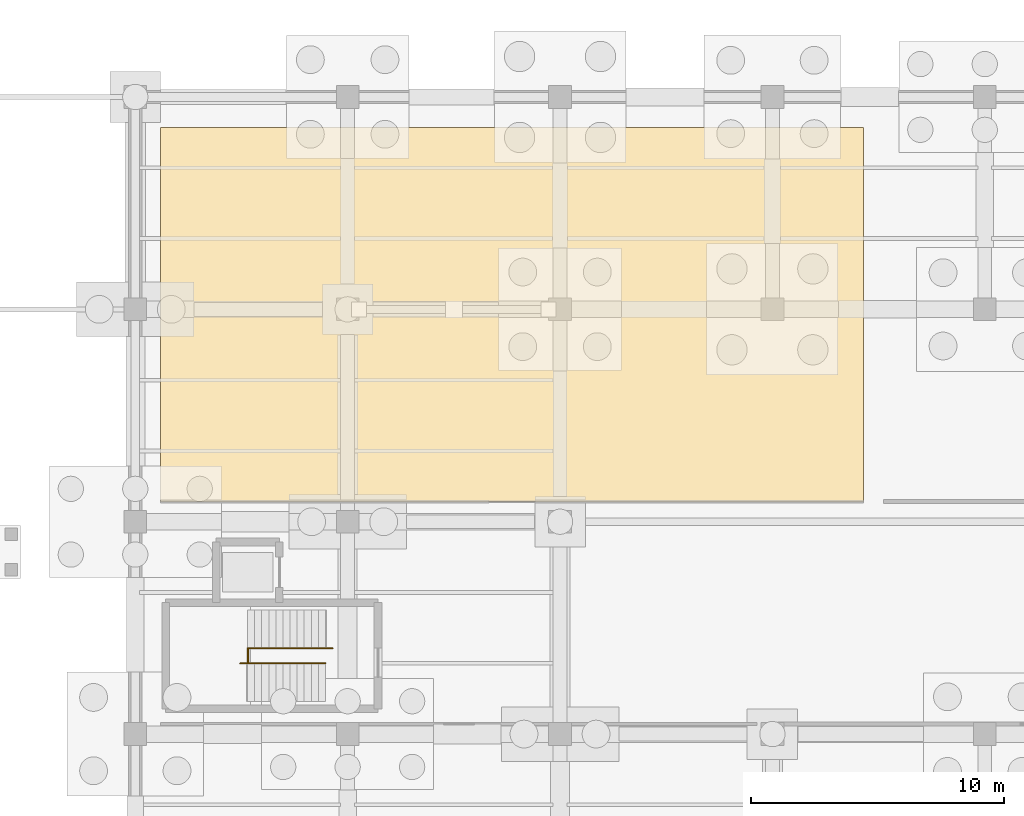
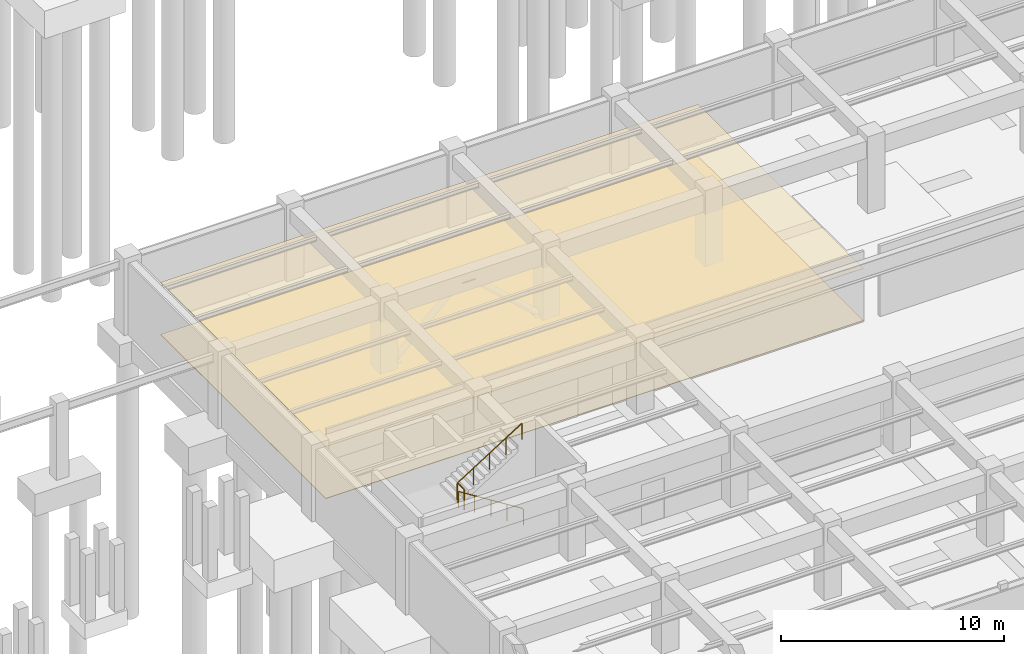
# One storey, part 34 of 38: 3 railings, 2 coverings.
"""IFC4 building model written with IfcOpenShell, lengths in metres."""

from ifc_helpers import new_model, si_unit, direction, frame, origin, origin_2d, place, context, subcontext, project, spatial, polyline, circle, outline, extrude, material, layer, layer_set, type_object, element, save


model = new_model("IFC4")

# Units and contexts
model_context = context("Model", 3, precision=1e-05, world=origin(), true_north=direction((0.0, 1.0)))
body_context = subcontext(model_context, "Body", "Model", "MODEL_VIEW")
ifc_project = project(units=[si_unit("LENGTHUNIT", "METRE"), si_unit("AREAUNIT", "SQUARE_METRE"), si_unit("VOLUMEUNIT", "CUBIC_METRE"), si_unit("PLANEANGLEUNIT", "RADIAN"), si_unit("MASSUNIT", "GRAM", prefix="KILO"), si_unit("THERMODYNAMICTEMPERATUREUNIT", "KELVIN"), si_unit("POWERUNIT", "WATT")], contexts=[model_context])

# Site, building, storey
site_placement = place(None, origin())
site = spatial("IfcSite", under=ifc_project, at=site_placement, CompositionType="ELEMENT")
building_placement = place(site_placement, origin())
building = spatial("IfcBuilding", under=site, at=building_placement, Name="Darbajah Civic Hall", CompositionType="ELEMENT")
storey_placement = place(building_placement, frame((0.0, 0.0, -4.199951171875)))
storey = spatial("IfcBuildingStorey", under=building, at=storey_placement, Name="B01", CompositionType="ELEMENT", Elevation=-4.199951171875)

# Railings
ifc_material_1 = material(Name="Brushed Bronze Stainless Steel", Category="steel")
railing_type_1 = type_object("IfcRailingType", Name="Brushed Bronze Handrail", PredefinedType="HANDRAIL", material=ifc_material_1)
railing_1_placement = place(storey_placement, frame((118.52001953125, 19.60009765625, 0.175048828125)))
element("IfcRailing", 1, at=railing_1_placement, inside=storey, type_object=railing_type_1, Name="ST06 B01 lower flight handrail", PredefinedType="HANDRAIL", context=body_context, shape_type="SweptSolid", body=[
    extrude(circle(Radius=0.02392578125, at=origin_2d()), frame((-0.023193359375, 0.0, 0.910400390625), z_axis=(-0.845972016735, 0.0, 0.533227293844), x_axis=(0.0, -1.0, 0.0)), (0.0, 0.0, 1.0), 3.917236328125),
    extrude(circle(Radius=0.02099609375, at=origin_2d()), origin(), (0.0, 0.0, 1.0), 0.867919921875),
    extrude(circle(Radius=0.02099609375, at=origin_2d()), frame((-0.840087890625, 0.0, 0.529541015625)), (0.0, 0.0, 1.0), 0.867919921875),
    extrude(circle(Radius=0.02099609375, at=origin_2d()), frame((-1.68017578125, 0.0, 1.05908203125)), (0.0, 0.0, 1.0), 0.867919921875),
    extrude(circle(Radius=0.02099609375, at=origin_2d()), frame((-2.52001953125, 0.0, 1.58837890625)), (0.0, 0.0, 1.0), 0.867919921875),
    extrude(circle(Radius=0.02099609375, at=origin_2d()), frame((-3.360107421875, 0.0, 2.117919921875)), (0.0, 0.0, 1.0), 0.867919921875),
])
railing_2_placement = place(storey_placement, frame((115.43994140625, 20.199951171875, 2.27490234375)))
element("IfcRailing", 2, at=railing_2_placement, inside=storey, type_object=railing_type_1, Name="ST06 B01 upper flight handrail", PredefinedType="HANDRAIL", context=body_context, shape_type="SweptSolid", body=[
    extrude(circle(Radius=0.02392578125, at=origin_2d()), frame((0.023193359375, 0.0, 0.910400390625), z_axis=(0.845944288966, 0.0, 0.533271281775), x_axis=(0.0, 1.0, 0.0)), (0.0, 0.0, 1.0), 3.91748046875),
    extrude(circle(Radius=0.02099609375, at=origin_2d()), origin(), (0.0, 0.0, 1.0), 0.867919921875),
    extrude(circle(Radius=0.02099609375, at=origin_2d()), frame((0.840087890625, 0.0, 0.529541015625)), (0.0, 0.0, 1.0), 0.867919921875),
    extrude(circle(Radius=0.02099609375, at=origin_2d()), frame((1.68017578125, 0.0, 1.05908203125)), (0.0, 0.0, 1.0), 0.867919921875),
    extrude(circle(Radius=0.02099609375, at=origin_2d()), frame((2.52001953125, 0.0, 1.588623046875)), (0.0, 0.0, 1.0), 0.867919921875),
    extrude(circle(Radius=0.02099609375, at=origin_2d()), frame((3.360107421875, 0.0, 2.1181640625)), (0.0, 0.0, 1.0), 0.867919921875),
])

# Covering
ifc_material_2 = material(Name="Honed Qatari Limestone Terrazzo", Category="masonry")
ifc_layer_1 = layer(ifc_material_2, 0.030029296875, Name="Honed Qatari Limestone Terrazzo")
ifc_layer_set_1 = layer_set([ifc_layer_1], Name="Honed Qatari Limestone Terrazzo")
covering_type_1 = type_object("IfcCoveringType", Name="Honed Qatari Limestone Terrazzo Flooring", PredefinedType="FLOORING", material=ifc_layer_set_1)
covering_1_placement = place(storey_placement, origin())
element("IfcCovering", 3, at=covering_1_placement, inside=storey, type_object=covering_type_1, Name="B01 stone terrazzo flooring B01-05", PredefinedType="FLOORING", context=body_context, shape_type="SweptSolid", body=[
    extrude(outline(polyline([(112.0, 26.0), (139.800048828125, 26.0), (139.800048828125, 40.800048828125), (112.0, 40.800048828125), (112.0, 26.0)])), origin(), (0.0, 0.0, 1.0), 0.030029296875),
])

# Railing
ifc_material_3 = material(Name="Brushed Bronze and Laminated Safety Glass", Category="glass")
railing_type_2 = type_object("IfcRailingType", Name="Interior Guard Balustrade", PredefinedType="BALUSTRADE", material=ifc_material_3)
railing_3_placement = place(storey_placement, frame((115.4599609375, 19.60009765625, 2.099853515625)))
element("IfcRailing", 4, at=railing_3_placement, inside=storey, type_object=railing_type_2, Name="ST06 B01 landing well guard", PredefinedType="BALUSTRADE", context=body_context, shape_type="SweptSolid", body=[
    extrude(circle(Radius=0.02392578125, at=origin_2d()), frame((0.0, 0.02734375, 1.09619140625), z_axis=(0.0, 1.0, 0.0), x_axis=(-1.0, 0.0, 0.0)), (0.0, 0.0, 1.0), 0.545166015625),
    extrude(circle(Radius=0.02099609375, at=origin_2d()), origin(), (0.0, 0.0, 1.0), 1.068115234375),
    extrude(circle(Radius=0.02099609375, at=origin_2d()), frame((0.0, 0.599853515625, 0.0)), (0.0, 0.0, 1.0), 1.068115234375),
])

# Covering
ifc_material_4 = material(Name="Perforated Acoustic Gypsum Board")
ifc_layer_2 = layer(ifc_material_4, 0.02490234375, Name="Perforated Acoustic Gypsum Board")
ifc_layer_set_2 = layer_set([ifc_layer_2], Name="Perforated Acoustic Gypsum Board")
covering_type_2 = type_object("IfcCoveringType", Name="Perforated Acoustic Gypsum Ceiling", PredefinedType="CEILING", material=ifc_layer_set_2)
covering_2_placement = place(storey_placement, frame((0.0, 0.0, 2.849853515625)))
element("IfcCovering", 5, at=covering_2_placement, inside=storey, type_object=covering_type_2, Name="B01 acoustic suspended ceiling B01-05", PredefinedType="CEILING", context=body_context, shape_type="SweptSolid", body=[
    extrude(outline(polyline([(112.0, 26.0), (139.800048828125, 26.0), (139.800048828125, 40.800048828125), (112.0, 40.800048828125), (112.0, 26.0)])), origin(), (0.0, 0.0, 1.0), 0.025146484375),
])

save(model, "model.ifc")
